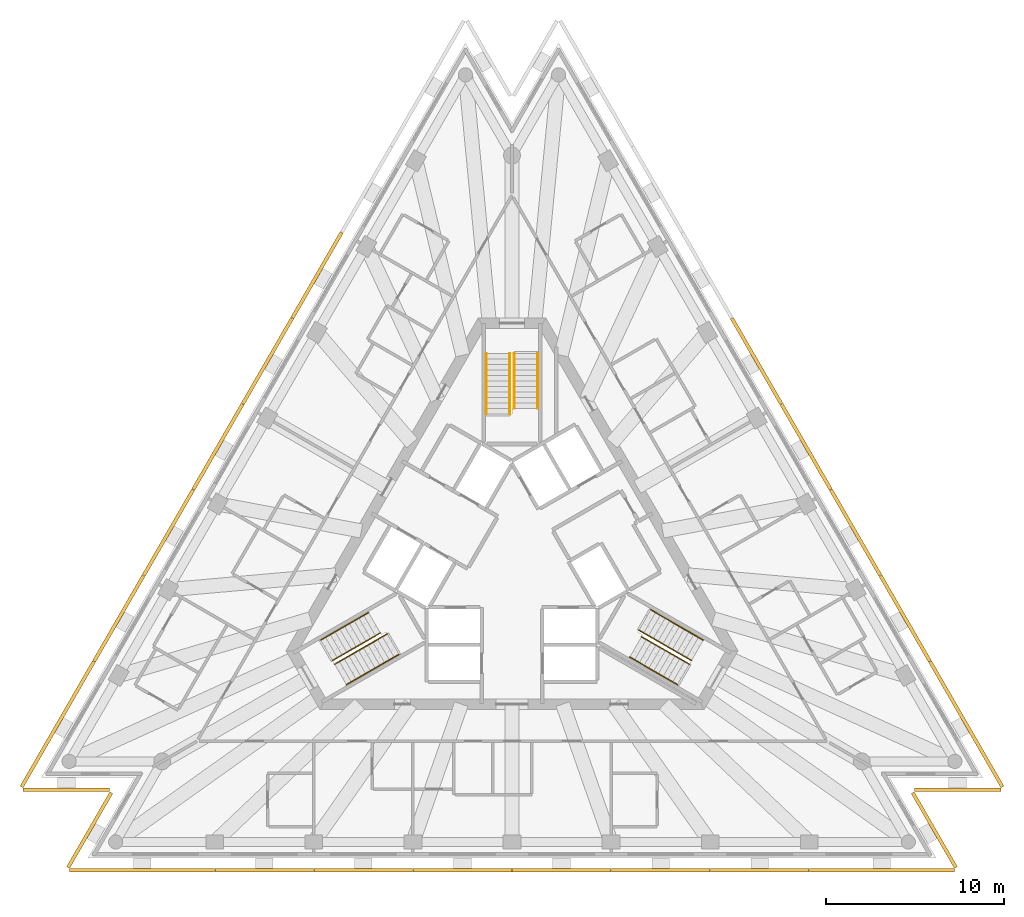
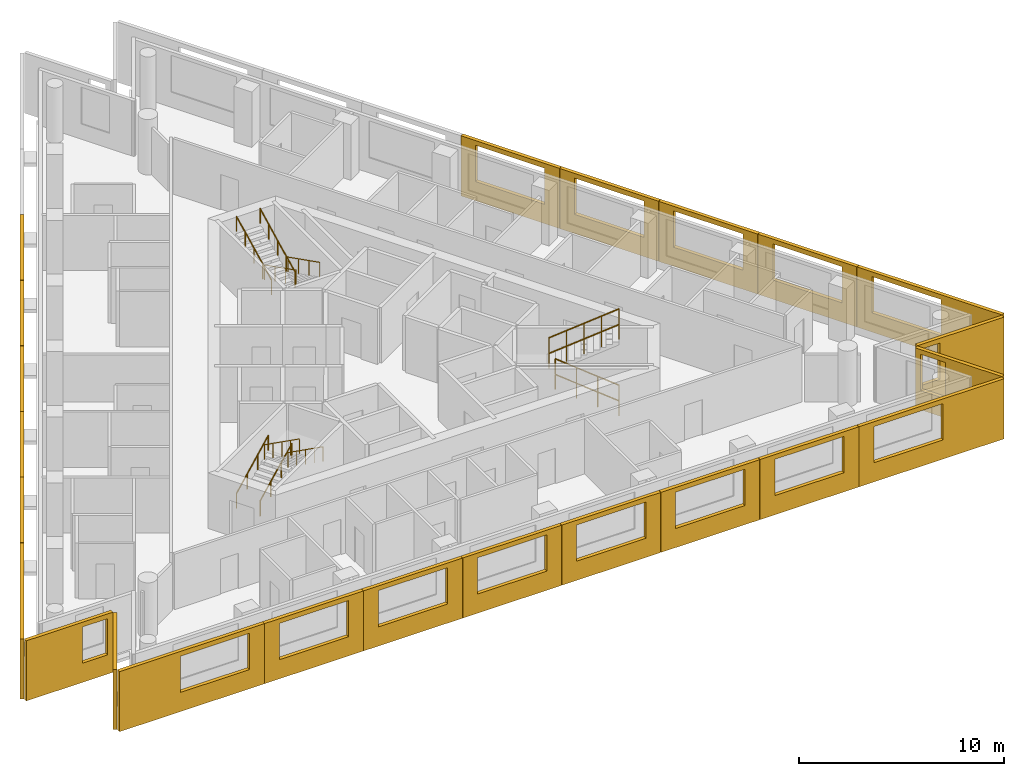
# One storey, part 9 of 10: 23 shading devices, 12 railings, 3 elements without a shape of their own.
"""IFC4 building model written with IfcOpenShell, lengths in metres."""

from ifc_helpers import new_model, si_unit, direction, frame, origin, origin_2d, place, context, subcontext, project, spatial, polyline, circle, outline, extrude, material, layer, layer_set, type_object, element, aggregate, save


model = new_model("IFC4")

# Units and contexts
model_context = context("Model", 3, precision=1e-05, world=origin(), true_north=direction((0.0, 1.0)))
body_context = subcontext(model_context, "Body", "Model", "MODEL_VIEW")
ifc_project = project(units=[si_unit("LENGTHUNIT", "METRE"), si_unit("AREAUNIT", "SQUARE_METRE"), si_unit("VOLUMEUNIT", "CUBIC_METRE"), si_unit("PLANEANGLEUNIT", "RADIAN"), si_unit("MASSUNIT", "GRAM", prefix="KILO")], contexts=[model_context])

# Site, building, storey
site_placement = place(None, origin())
site = spatial("IfcSite", under=ifc_project, at=site_placement, CompositionType="ELEMENT")
building_placement = place(site_placement, origin())
building = spatial("IfcBuilding", under=site, at=building_placement, Name="Triada Interchange Tower", CompositionType="ELEMENT")
storey_placement = place(building_placement, frame((0.0, 0.0, 268.300048828125)))
storey = spatial("IfcBuildingStorey", under=building, at=storey_placement, Name="L62", CompositionType="ELEMENT", Elevation=268.300048828125)

# Shading devices
ifc_material_1 = material(Name="Concrete C50/60 precast", Category="concrete")
ifc_layer_1 = layer(ifc_material_1, 0.02001953125, Name="Exposed aggregate face")
ifc_layer_2 = layer(ifc_material_1, 0.179931640625, Name="Precast concrete screen")
ifc_layer_set = layer_set([ifc_layer_1, ifc_layer_2], Name="Outer skin screen panel 3580")
shading_device_type = type_object("IfcShadingDeviceType", Name="Outer skin screen panel 3580", PredefinedType="SHUTTER", material=ifc_layer_set)
shading_device_1_placement = place(storey_placement, frame((-9.507080078125, 18.366943359375, -0.2900390625), z_axis=(0.0, 0.0, 1.0), x_axis=(-0.500072058625, -0.86598379672, 0.0)))
element("IfcShadingDevice", 1, at=shading_device_1_placement, inside=storey, type_object=shading_device_type, Name="Outer skin screen panel L62 03", PredefinedType="SHUTTER", context=body_context, shape_type="SweptSolid", body=[
    extrude(outline(polyline([(0.0, 0.0), (5.561279296875, 0.0), (5.561279296875, 3.580078125), (0.0, 3.580078125), (0.0, 0.0)]), holes=[polyline([(0.830810546875, 1.139892578125), (0.830810546875, 3.300048828125), (4.730712890625, 3.300048828125), (4.730712890625, 1.139892578125), (0.830810546875, 1.139892578125)])]), frame((0.0, 0.0, 0.0), z_axis=(0.0, -1.0, 0.0), x_axis=(1.0, 0.0, 0.0)), (0.0, 0.0, 1.0), 0.199951171875),
])
shading_device_2_placement = place(storey_placement, frame((-12.298095703125, 13.532958984375, -0.2900390625), z_axis=(0.0, 0.0, 1.0), x_axis=(-0.500072058625, -0.86598379672, 0.0)))
element("IfcShadingDevice", 2, at=shading_device_2_placement, inside=storey, type_object=shading_device_type, Name="Outer skin screen panel L62 04", PredefinedType="SHUTTER", context=body_context, shape_type="SweptSolid", body=[
    extrude(outline(polyline([(0.0, 0.0), (5.561279296875, 0.0), (5.561279296875, 3.580078125), (0.0, 3.580078125), (0.0, 0.0)]), holes=[polyline([(0.830322265625, 1.139892578125), (0.830322265625, 3.300048828125), (4.73046875, 3.300048828125), (4.73046875, 1.139892578125), (0.830322265625, 1.139892578125)])]), frame((0.0, 0.0, 0.0), z_axis=(0.0, -1.0, 0.0), x_axis=(1.0, 0.0, 0.0)), (0.0, 0.0, 1.0), 0.199951171875),
])
shading_device_3_placement = place(storey_placement, frame((-15.089111328125, 8.699951171875, -0.2900390625), z_axis=(0.0, 0.0, 1.0), x_axis=(-0.499907419982, -0.866078848285, 0.0)))
element("IfcShadingDevice", 3, at=shading_device_3_placement, inside=storey, type_object=shading_device_type, Name="Outer skin screen panel L62 05", PredefinedType="SHUTTER", context=body_context, shape_type="SweptSolid", body=[
    extrude(outline(polyline([(0.0, 0.0), (5.560546875, 0.0), (5.560546875, 3.580078125), (0.0, 3.580078125), (0.0, 0.0)]), holes=[polyline([(0.8310546875, 1.139892578125), (0.8310546875, 3.300048828125), (4.731201171875, 3.300048828125), (4.731201171875, 1.139892578125), (0.8310546875, 1.139892578125)])]), frame((0.0, 0.0, 0.0), z_axis=(0.0, -1.0, 0.0), x_axis=(1.0, 0.0, 0.0)), (0.0, 0.0, 1.0), 0.199951171875),
])
shading_device_4_placement = place(storey_placement, frame((-17.87890625, 3.865966796875, -0.2900390625), z_axis=(0.0, 0.0, 1.0), x_axis=(-0.500072058625, -0.86598379672, 0.0)))
element("IfcShadingDevice", 4, at=shading_device_4_placement, inside=storey, type_object=shading_device_type, Name="Outer skin screen panel L62 06", PredefinedType="SHUTTER", context=body_context, shape_type="SweptSolid", body=[
    extrude(outline(polyline([(0.0, 0.0), (5.561279296875, 0.0), (5.561279296875, 3.580078125), (0.0, 3.580078125), (0.0, 0.0)]), holes=[polyline([(0.830810546875, 1.139892578125), (0.830810546875, 3.300048828125), (4.730712890625, 3.300048828125), (4.730712890625, 1.139892578125), (0.830810546875, 1.139892578125)])]), frame((0.0, 0.0, 0.0), z_axis=(0.0, -1.0, 0.0), x_axis=(1.0, 0.0, 0.0)), (0.0, 0.0, 1.0), 0.199951171875),
])
shading_device_5_placement = place(storey_placement, frame((-20.669921875, -0.967041015625, -0.2900390625), z_axis=(0.0, 0.0, 1.0), x_axis=(-0.499996022837, -0.866027699989, 0.0)))
element("IfcShadingDevice", 5, at=shading_device_5_placement, inside=storey, type_object=shading_device_type, Name="Outer skin screen panel L62 07", PredefinedType="SHUTTER", context=body_context, shape_type="SweptSolid", body=[
    extrude(outline(polyline([(0.0, 0.0), (5.56201171875, 0.0), (5.56201171875, 3.580078125), (0.0, 3.580078125), (0.0, 0.0)]), holes=[polyline([(0.830322265625, 1.139892578125), (0.830322265625, 3.300048828125), (4.73046875, 3.300048828125), (4.73046875, 1.139892578125), (0.830322265625, 1.139892578125)])]), frame((0.0, 0.0, 0.0), z_axis=(0.0, -1.0, 0.0), x_axis=(1.0, 0.0, 0.0)), (0.0, 0.0, 1.0), 0.199951171875),
])
shading_device_6_placement = place(storey_placement, frame((-23.4609375, -5.801025390625, -0.2900390625), z_axis=(0.0, 0.0, 1.0), x_axis=(-0.499962486839, -0.866047060935, 0.0)))
element("IfcShadingDevice", 6, at=shading_device_6_placement, inside=storey, type_object=shading_device_type, Name="Outer skin screen panel L62 08", PredefinedType="SHUTTER", context=body_context, shape_type="SweptSolid", body=[
    extrude(outline(polyline([(0.0, 0.0), (8.158935546875, 0.0), (8.158935546875, 3.580078125), (0.0, 3.580078125), (0.0, 0.0)]), holes=[polyline([(0.8310546875, 1.139892578125), (0.8310546875, 3.300048828125), (4.73095703125, 3.300048828125), (4.73095703125, 1.139892578125), (0.8310546875, 1.139892578125)])]), frame((0.0, 0.0, 0.0), z_axis=(0.0, -1.0, 0.0), x_axis=(1.0, 0.0, 0.0)), (0.0, 0.0, 1.0), 0.199951171875),
])
shading_device_7_placement = place(storey_placement, frame((-27.534912109375, -12.8759765625, -0.2900390625), z_axis=(0.0, 0.0, 1.0), x_axis=(1.0, 0.0, 0.0)))
element("IfcShadingDevice", 7, at=shading_device_7_placement, inside=storey, type_object=shading_device_type, Name="Outer skin screen panel L62 09", PredefinedType="SHUTTER", context=body_context, shape_type="SweptSolid", body=[
    extrude(outline(polyline([(0.0, 0.0), (4.8759765625, 0.0), (4.8759765625, 3.580078125), (0.0, 3.580078125), (0.0, 0.0)]), holes=[polyline([(3.175048828125, 1.139892578125), (3.175048828125, 3.300048828125), (4.575927734375, 3.300048828125), (4.575927734375, 1.139892578125), (3.175048828125, 1.139892578125)])]), frame((0.0, 0.0, 0.0), z_axis=(0.0, -1.0, 0.0), x_axis=(1.0, 0.0, 0.0)), (0.0, 0.0, 1.0), 0.199951171875),
])
shading_device_8_placement = place(storey_placement, frame((-22.48095703125, -13.18505859375, -0.2900390625), z_axis=(0.0, 0.0, 1.0), x_axis=(-0.499983942717, -0.866034674262, 0.0)))
element("IfcShadingDevice", 8, at=shading_device_8_placement, inside=storey, type_object=shading_device_type, Name="Outer skin screen panel L62 10", PredefinedType="SHUTTER", context=body_context, shape_type="SweptSolid", body=[
    extrude(outline(polyline([(0.0, 0.0), (4.876220703125, 0.0), (4.876220703125, 3.580078125), (0.0, 3.580078125), (0.0, 0.0)]), holes=[polyline([(0.300048828125, 1.139892578125), (0.300048828125, 3.300048828125), (1.2578125, 3.300048828125), (1.2578125, 1.139892578125), (0.300048828125, 1.139892578125)])]), frame((0.0, 0.0, 0.0), z_axis=(0.0, -1.0, 0.0), x_axis=(1.0, 0.0, 0.0)), (0.0, 0.0, 1.0), 0.199951171875),
])
shading_device_9_placement = place(storey_placement, frame((-24.9140625, -17.4169921875, -0.2900390625), z_axis=(0.0, 0.0, 1.0), x_axis=(1.0, 0.0, 0.0)))
element("IfcShadingDevice", 9, at=shading_device_9_placement, inside=storey, type_object=shading_device_type, Name="Outer skin screen panel L62 11", PredefinedType="SHUTTER", context=body_context, shape_type="SweptSolid", body=[
    extrude(outline(polyline([(0.0, 0.0), (8.16015625, 0.0), (8.16015625, 3.580078125), (0.0, 3.580078125), (0.0, 0.0)]), holes=[polyline([(3.428955078125, 1.139892578125), (3.428955078125, 3.300048828125), (7.3291015625, 3.300048828125), (7.3291015625, 1.139892578125), (3.428955078125, 1.139892578125)])]), frame((0.0, 0.0, 0.0), z_axis=(0.0, -1.0, 0.0), x_axis=(1.0, 0.0, 0.0)), (0.0, 0.0, 1.0), 0.199951171875),
])
shading_device_10_placement = place(storey_placement, frame((-16.735107421875, -17.4169921875, -0.2900390625), z_axis=(0.0, 0.0, 1.0), x_axis=(1.0, 0.0, 0.0)))
element("IfcShadingDevice", 10, at=shading_device_10_placement, inside=storey, type_object=shading_device_type, Name="Outer skin screen panel L62 12", PredefinedType="SHUTTER", context=body_context, shape_type="SweptSolid", body=[
    extrude(outline(polyline([(0.0, 0.0), (5.56201171875, 0.0), (5.56201171875, 3.580078125), (0.0, 3.580078125), (0.0, 0.0)]), holes=[polyline([(0.83056640625, 1.139892578125), (0.83056640625, 3.300048828125), (4.73046875, 3.300048828125), (4.73046875, 1.139892578125), (0.83056640625, 1.139892578125)])]), frame((0.0, 0.0, 0.0), z_axis=(0.0, -1.0, 0.0), x_axis=(1.0, 0.0, 0.0)), (0.0, 0.0, 1.0), 0.199951171875),
])
shading_device_11_placement = place(storey_placement, frame((-11.153076171875, -17.4169921875, -0.2900390625), z_axis=(0.0, 0.0, 1.0), x_axis=(1.0, 0.0, 0.0)))
element("IfcShadingDevice", 11, at=shading_device_11_placement, inside=storey, type_object=shading_device_type, Name="Outer skin screen panel L62 13", PredefinedType="SHUTTER", context=body_context, shape_type="SweptSolid", body=[
    extrude(outline(polyline([(0.0, 0.0), (5.56103515625, 0.0), (5.56103515625, 3.580078125), (0.0, 3.580078125), (0.0, 0.0)]), holes=[polyline([(0.8310546875, 1.139892578125), (0.8310546875, 3.300048828125), (4.73095703125, 3.300048828125), (4.73095703125, 1.139892578125), (0.8310546875, 1.139892578125)])]), frame((0.0, 0.0, 0.0), z_axis=(0.0, -1.0, 0.0), x_axis=(1.0, 0.0, 0.0)), (0.0, 0.0, 1.0), 0.199951171875),
])
shading_device_12_placement = place(storey_placement, frame((-5.571044921875, -17.4169921875, -0.2900390625), z_axis=(0.0, 0.0, 1.0), x_axis=(1.0, 0.0, 0.0)))
element("IfcShadingDevice", 12, at=shading_device_12_placement, inside=storey, type_object=shading_device_type, Name="Outer skin screen panel L62 14", PredefinedType="SHUTTER", context=body_context, shape_type="SweptSolid", body=[
    extrude(outline(polyline([(0.0, 0.0), (5.56103515625, 0.0), (5.56103515625, 3.580078125), (0.0, 3.580078125), (0.0, 0.0)]), holes=[polyline([(0.83056640625, 1.139892578125), (0.83056640625, 3.300048828125), (4.73046875, 3.300048828125), (4.73046875, 1.139892578125), (0.83056640625, 1.139892578125)])]), frame((0.0, 0.0, 0.0), z_axis=(0.0, -1.0, 0.0), x_axis=(1.0, 0.0, 0.0)), (0.0, 0.0, 1.0), 0.199951171875),
])
shading_device_13_placement = place(storey_placement, frame((0.010009765625, -17.4169921875, -0.2900390625), z_axis=(0.0, 0.0, 1.0), x_axis=(1.0, 0.0, 0.0)))
element("IfcShadingDevice", 13, at=shading_device_13_placement, inside=storey, type_object=shading_device_type, Name="Outer skin screen panel L62 15", PredefinedType="SHUTTER", context=body_context, shape_type="SweptSolid", body=[
    extrude(outline(polyline([(0.0, 0.0), (5.56103515625, 0.0), (5.56103515625, 3.580078125), (0.0, 3.580078125), (0.0, 0.0)]), holes=[polyline([(0.8310546875, 1.139892578125), (0.8310546875, 3.300048828125), (4.73095703125, 3.300048828125), (4.73095703125, 1.139892578125), (0.8310546875, 1.139892578125)])]), frame((0.0, 0.0, 0.0), z_axis=(0.0, -1.0, 0.0), x_axis=(1.0, 0.0, 0.0)), (0.0, 0.0, 1.0), 0.199951171875),
])
shading_device_14_placement = place(storey_placement, frame((5.592041015625, -17.4169921875, -0.2900390625), z_axis=(0.0, 0.0, 1.0), x_axis=(1.0, 0.0, 0.0)))
element("IfcShadingDevice", 14, at=shading_device_14_placement, inside=storey, type_object=shading_device_type, Name="Outer skin screen panel L62 16", PredefinedType="SHUTTER", context=body_context, shape_type="SweptSolid", body=[
    extrude(outline(polyline([(0.0, 0.0), (5.56103515625, 0.0), (5.56103515625, 3.580078125), (0.0, 3.580078125), (0.0, 0.0)]), holes=[polyline([(0.83056640625, 1.139892578125), (0.83056640625, 3.300048828125), (4.73046875, 3.300048828125), (4.73046875, 1.139892578125), (0.83056640625, 1.139892578125)])]), frame((0.0, 0.0, 0.0), z_axis=(0.0, -1.0, 0.0), x_axis=(1.0, 0.0, 0.0)), (0.0, 0.0, 1.0), 0.199951171875),
])
shading_device_15_placement = place(storey_placement, frame((11.173095703125, -17.4169921875, -0.2900390625), z_axis=(0.0, 0.0, 1.0), x_axis=(1.0, 0.0, 0.0)))
element("IfcShadingDevice", 15, at=shading_device_15_placement, inside=storey, type_object=shading_device_type, Name="Outer skin screen panel L62 17", PredefinedType="SHUTTER", context=body_context, shape_type="SweptSolid", body=[
    extrude(outline(polyline([(0.0, 0.0), (5.56201171875, 0.0), (5.56201171875, 3.580078125), (0.0, 3.580078125), (0.0, 0.0)]), holes=[polyline([(0.8310546875, 1.139892578125), (0.8310546875, 3.300048828125), (4.73095703125, 3.300048828125), (4.73095703125, 1.139892578125), (0.8310546875, 1.139892578125)])]), frame((0.0, 0.0, 0.0), z_axis=(0.0, -1.0, 0.0), x_axis=(1.0, 0.0, 0.0)), (0.0, 0.0, 1.0), 0.199951171875),
])
shading_device_16_placement = place(storey_placement, frame((16.7548828125, -17.4169921875, -0.2900390625), z_axis=(0.0, 0.0, 1.0), x_axis=(1.0, 0.0, 0.0)))
element("IfcShadingDevice", 16, at=shading_device_16_placement, inside=storey, type_object=shading_device_type, Name="Outer skin screen panel L62 18", PredefinedType="SHUTTER", context=body_context, shape_type="SweptSolid", body=[
    extrude(outline(polyline([(0.0, 0.0), (8.1591796875, 0.0), (8.1591796875, 3.580078125), (0.0, 3.580078125), (0.0, 0.0)]), holes=[polyline([(0.83056640625, 1.139892578125), (0.83056640625, 3.300048828125), (4.73046875, 3.300048828125), (4.73046875, 1.139892578125), (0.83056640625, 1.139892578125)])]), frame((0.0, 0.0, 0.0), z_axis=(0.0, -1.0, 0.0), x_axis=(1.0, 0.0, 0.0)), (0.0, 0.0, 1.0), 0.199951171875),
])
shading_device_17_placement = place(storey_placement, frame((24.9189453125, -17.407958984375, -0.2900390625), z_axis=(0.0, 0.0, 1.0), x_axis=(-0.499983942717, 0.866034674262, 0.0)))
element("IfcShadingDevice", 17, at=shading_device_17_placement, inside=storey, type_object=shading_device_type, Name="Outer skin screen panel L62 19", PredefinedType="SHUTTER", context=body_context, shape_type="SweptSolid", body=[
    extrude(outline(polyline([(0.0, 0.0), (4.876220703125, 0.0), (4.876220703125, 3.580078125), (0.0, 3.580078125), (0.0, 0.0)]), holes=[polyline([(3.17529296875, 1.139892578125), (3.17529296875, 3.300048828125), (4.576904296875, 3.300048828125), (4.576904296875, 1.139892578125), (3.17529296875, 1.139892578125)])]), frame((0.0, 0.0, 0.0), z_axis=(0.0, -1.0, 0.0), x_axis=(1.0, 0.0, 0.0)), (0.0, 0.0, 1.0), 0.199951171875),
])
shading_device_18_placement = place(storey_placement, frame((22.658935546875, -12.8759765625, -0.2900390625), z_axis=(0.0, 0.0, 1.0), x_axis=(1.0, 0.0, 0.0)))
element("IfcShadingDevice", 18, at=shading_device_18_placement, inside=storey, type_object=shading_device_type, Name="Outer skin screen panel L62 20", PredefinedType="SHUTTER", context=body_context, shape_type="SweptSolid", body=[
    extrude(outline(polyline([(0.0, 0.0), (4.8759765625, 0.0), (4.8759765625, 3.580078125), (0.0, 3.580078125), (0.0, 0.0)]), holes=[polyline([(0.300048828125, 1.139892578125), (0.300048828125, 3.300048828125), (1.258056640625, 3.300048828125), (1.258056640625, 1.139892578125), (0.300048828125, 1.139892578125)])]), frame((0.0, 0.0, 0.0), z_axis=(0.0, -1.0, 0.0), x_axis=(1.0, 0.0, 0.0)), (0.0, 0.0, 1.0), 0.199951171875),
])
shading_device_19_placement = place(storey_placement, frame((27.5400390625, -12.866943359375, -0.2900390625), z_axis=(0.0, 0.0, 1.0), x_axis=(-0.499962486839, 0.866047060935, 0.0)))
element("IfcShadingDevice", 19, at=shading_device_19_placement, inside=storey, type_object=shading_device_type, Name="Outer skin screen panel L62 21", PredefinedType="SHUTTER", context=body_context, shape_type="SweptSolid", body=[
    extrude(outline(polyline([(0.0, 0.0), (8.158935546875, 0.0), (8.158935546875, 3.580078125), (0.0, 3.580078125), (0.0, 0.0)]), holes=[polyline([(3.42822265625, 1.139892578125), (3.42822265625, 3.300048828125), (7.328369140625, 3.300048828125), (7.328369140625, 1.139892578125), (3.42822265625, 1.139892578125)])]), frame((0.0, 0.0, 0.0), z_axis=(0.0, -1.0, 0.0), x_axis=(1.0, 0.0, 0.0)), (0.0, 0.0, 1.0), 0.199951171875),
])
shading_device_20_placement = place(storey_placement, frame((23.450927734375, -5.783935546875, -0.2900390625), z_axis=(0.0, 0.0, 1.0), x_axis=(-0.499996022837, 0.866027699989, 0.0)))
element("IfcShadingDevice", 20, at=shading_device_20_placement, inside=storey, type_object=shading_device_type, Name="Outer skin screen panel L62 22", PredefinedType="SHUTTER", context=body_context, shape_type="SweptSolid", body=[
    extrude(outline(polyline([(0.0, 0.0), (5.56201171875, 0.0), (5.56201171875, 3.580078125), (0.0, 3.580078125), (0.0, 0.0)]), holes=[polyline([(0.830810546875, 1.139892578125), (0.830810546875, 3.300048828125), (4.73095703125, 3.300048828125), (4.73095703125, 1.139892578125), (0.830810546875, 1.139892578125)])]), frame((0.0, 0.0, 0.0), z_axis=(0.0, -1.0, 0.0), x_axis=(1.0, 0.0, 0.0)), (0.0, 0.0, 1.0), 0.199951171875),
])
shading_device_21_placement = place(storey_placement, frame((20.659912109375, -0.949951171875, -0.2900390625), z_axis=(0.0, 0.0, 1.0), x_axis=(-0.500072058625, 0.86598379672, 0.0)))
element("IfcShadingDevice", 21, at=shading_device_21_placement, inside=storey, type_object=shading_device_type, Name="Outer skin screen panel L62 23", PredefinedType="SHUTTER", context=body_context, shape_type="SweptSolid", body=[
    extrude(outline(polyline([(0.0, 0.0), (5.561279296875, 0.0), (5.561279296875, 3.580078125), (0.0, 3.580078125), (0.0, 0.0)]), holes=[polyline([(0.83056640625, 1.139892578125), (0.83056640625, 3.300048828125), (4.73046875, 3.300048828125), (4.73046875, 1.139892578125), (0.83056640625, 1.139892578125)])]), frame((0.0, 0.0, 0.0), z_axis=(0.0, -1.0, 0.0), x_axis=(1.0, 0.0, 0.0)), (0.0, 0.0, 1.0), 0.199951171875),
])
shading_device_22_placement = place(storey_placement, frame((17.868896484375, 3.884033203125, -0.2900390625), z_axis=(0.0, 0.0, 1.0), x_axis=(-0.499907419982, 0.866078848285, 0.0)))
element("IfcShadingDevice", 22, at=shading_device_22_placement, inside=storey, type_object=shading_device_type, Name="Outer skin screen panel L62 24", PredefinedType="SHUTTER", context=body_context, shape_type="SweptSolid", body=[
    extrude(outline(polyline([(0.0, 0.0), (5.560546875, 0.0), (5.560546875, 3.580078125), (0.0, 3.580078125), (0.0, 0.0)]), holes=[polyline([(0.830078125, 1.139892578125), (0.830078125, 3.300048828125), (4.730224609375, 3.300048828125), (4.730224609375, 1.139892578125), (0.830078125, 1.139892578125)])]), frame((0.0, 0.0, 0.0), z_axis=(0.0, -1.0, 0.0), x_axis=(1.0, 0.0, 0.0)), (0.0, 0.0, 1.0), 0.199951171875),
])
shading_device_23_placement = place(storey_placement, frame((15.0791015625, 8.717041015625, -0.2900390625), z_axis=(0.0, 0.0, 1.0), x_axis=(-0.500072058625, 0.86598379672, 0.0)))
element("IfcShadingDevice", 23, at=shading_device_23_placement, inside=storey, type_object=shading_device_type, Name="Outer skin screen panel L62 25", PredefinedType="SHUTTER", context=body_context, shape_type="SweptSolid", body=[
    extrude(outline(polyline([(0.0, 0.0), (5.561279296875, 0.0), (5.561279296875, 3.580078125), (0.0, 3.580078125), (0.0, 0.0)]), holes=[polyline([(0.830810546875, 1.139892578125), (0.830810546875, 3.300048828125), (4.730712890625, 3.300048828125), (4.730712890625, 1.139892578125), (0.830810546875, 1.139892578125)])]), frame((0.0, 0.0, 0.0), z_axis=(0.0, -1.0, 0.0), x_axis=(1.0, 0.0, 0.0)), (0.0, 0.0, 1.0), 0.199951171875),
])

# Stair, railings
ifc_material_2 = material(Name="Concrete C35/45", Category="concrete")
stair_type = type_object("IfcStairType", Name="HALF TURN STAIR 1400", PredefinedType="HALF_TURN_STAIR", material=ifc_material_2)
stair_1_placement = place(storey_placement, origin())
stair_1 = element("IfcStair", 24, at=stair_1_placement, inside=storey, type_object=stair_type, Name="Exit stair S62-1", PredefinedType="HALF_TURN_STAIR")
ifc_material_3 = material(Name="Stainless steel 1.4301", Category="steel")
railing_type = type_object("IfcRailingType", Name="STAIR HANDRAIL 900", PredefinedType="HANDRAIL", material=ifc_material_3)
railing_1_placement = place(storey_placement, frame((1.449951171875, 11.60009765625, 0.156494140625)))
railing_1 = element("IfcRailing", 25, at=railing_1_placement, type_object=railing_type, Name="Handrail S62-1 1W", PredefinedType="HANDRAIL", context=body_context, shape_type="SweptSolid", body=[
    extrude(circle(Radius=0.02392578125, at=origin_2d()), frame((0.0, 0.0, 0.8759765625), z_axis=(0.0, -0.89267693942, 0.450697106522), x_axis=(1.0, 0.0, 0.0)), (0.0, 0.0, 1.0), 3.472900390625),
    extrude(circle(Radius=0.02099609375, at=origin_2d()), origin(), (0.0, 0.0, 1.0), 0.851806640625),
    extrude(circle(Radius=0.02099609375, at=origin_2d()), frame((0.0, -1.033447265625, 0.521728515625)), (0.0, 0.0, 1.0), 0.851806640625),
    extrude(circle(Radius=0.02099609375, at=origin_2d()), frame((0.0, -2.066650390625, 1.04345703125)), (0.0, 0.0, 1.0), 0.851806640625),
    extrude(circle(Radius=0.02099609375, at=origin_2d()), frame((0.0, -3.10009765625, 1.565185546875)), (0.0, 0.0, 1.0), 0.851806640625),
])
railing_2_placement = place(storey_placement, frame((0.1201171875, 11.60009765625, 0.156494140625)))
railing_2 = element("IfcRailing", 26, at=railing_2_placement, type_object=railing_type, Name="Handrail S62-1 1C", PredefinedType="HANDRAIL", context=body_context, shape_type="SweptSolid", body=[
    extrude(circle(Radius=0.02392578125, at=origin_2d()), frame((0.0, 0.0, 0.8759765625), z_axis=(0.0, -0.89267693942, 0.450697106522), x_axis=(1.0, 0.0, 0.0)), (0.0, 0.0, 1.0), 3.472900390625),
    extrude(circle(Radius=0.02099609375, at=origin_2d()), origin(), (0.0, 0.0, 1.0), 0.851806640625),
    extrude(circle(Radius=0.02099609375, at=origin_2d()), frame((0.0, -1.033447265625, 0.521728515625)), (0.0, 0.0, 1.0), 0.851806640625),
    extrude(circle(Radius=0.02099609375, at=origin_2d()), frame((0.0, -2.066650390625, 1.04345703125)), (0.0, 0.0, 1.0), 0.851806640625),
    extrude(circle(Radius=0.02099609375, at=origin_2d()), frame((0.0, -3.10009765625, 1.565185546875)), (0.0, 0.0, 1.0), 0.851806640625),
])
railing_3_placement = place(storey_placement, frame((-1.449951171875, 8.18994140625, 1.878173828125)))
railing_3 = element("IfcRailing", 27, at=railing_3_placement, type_object=railing_type, Name="Handrail S62-1 2W", PredefinedType="HANDRAIL", context=body_context, shape_type="SweptSolid", body=[
    extrude(circle(Radius=0.02392578125, at=origin_2d()), frame((0.0, 0.0, 0.8759765625), z_axis=(0.0, 0.892682106939, 0.450686871287), x_axis=(-1.0, 0.0, 0.0)), (0.0, 0.0, 1.0), 3.820068359375),
    extrude(circle(Radius=0.02099609375, at=origin_2d()), origin(), (0.0, 0.0, 1.0), 0.851806640625),
    extrude(circle(Radius=0.02099609375, at=origin_2d()), frame((0.0, 0.8525390625, 0.430419921875)), (0.0, 0.0, 1.0), 0.851806640625),
    extrude(circle(Radius=0.02099609375, at=origin_2d()), frame((0.0, 1.705078125, 0.86083984375)), (0.0, 0.0, 1.0), 0.851806640625),
    extrude(circle(Radius=0.02099609375, at=origin_2d()), frame((0.0, 2.5576171875, 1.291259765625)), (0.0, 0.0, 1.0), 0.851806640625),
    extrude(circle(Radius=0.02099609375, at=origin_2d()), frame((0.0, 3.41015625, 1.7216796875)), (0.0, 0.0, 1.0), 0.851806640625),
])
railing_4_placement = place(storey_placement, frame((-0.1201171875, 8.18994140625, 1.878173828125)))
railing_4 = element("IfcRailing", 28, at=railing_4_placement, type_object=railing_type, Name="Handrail S62-1 2C", PredefinedType="HANDRAIL", context=body_context, shape_type="SweptSolid", body=[
    extrude(circle(Radius=0.02392578125, at=origin_2d()), frame((0.0, 0.0, 0.8759765625), z_axis=(0.0, 0.892682106939, 0.450686871287), x_axis=(-1.0, 0.0, 0.0)), (0.0, 0.0, 1.0), 3.820068359375),
    extrude(circle(Radius=0.02099609375, at=origin_2d()), origin(), (0.0, 0.0, 1.0), 0.851806640625),
    extrude(circle(Radius=0.02099609375, at=origin_2d()), frame((0.0, 0.8525390625, 0.430419921875)), (0.0, 0.0, 1.0), 0.851806640625),
    extrude(circle(Radius=0.02099609375, at=origin_2d()), frame((0.0, 1.705078125, 0.86083984375)), (0.0, 0.0, 1.0), 0.851806640625),
    extrude(circle(Radius=0.02099609375, at=origin_2d()), frame((0.0, 2.5576171875, 1.291259765625)), (0.0, 0.0, 1.0), 0.851806640625),
    extrude(circle(Radius=0.02099609375, at=origin_2d()), frame((0.0, 3.41015625, 1.7216796875)), (0.0, 0.0, 1.0), 0.851806640625),
])
aggregate(stair_1, [railing_1, railing_2, railing_3, railing_4])

stair_2_placement = place(storey_placement, origin())
stair_2 = element("IfcStair", 29, at=stair_2_placement, inside=storey, type_object=stair_type, Name="Exit stair S62-2", PredefinedType="HALF_TURN_STAIR")
railing_5_placement = place(storey_placement, frame((-10.77099609375, -4.5439453125, 0.156494140625)))
railing_5 = element("IfcRailing", 30, at=railing_5_placement, type_object=railing_type, Name="Handrail S62-2 1W", PredefinedType="HANDRAIL", context=body_context, shape_type="SweptSolid", body=[
    extrude(circle(Radius=0.02392578125, at=origin_2d()), frame((0.0, 0.0, 0.8759765625), z_axis=(0.773115112249, 0.446309133267, 0.4506674836), x_axis=(-0.499958760481, 0.866049212123, 0.0)), (0.0, 0.0, 1.0), 3.47314453125),
    extrude(circle(Radius=0.02099609375, at=origin_2d()), origin(), (0.0, 0.0, 1.0), 0.851806640625),
    extrude(circle(Radius=0.02099609375, at=origin_2d()), frame((0.89501953125, 0.5166015625, 0.521728515625)), (0.0, 0.0, 1.0), 0.851806640625),
    extrude(circle(Radius=0.02099609375, at=origin_2d()), frame((1.7900390625, 1.033447265625, 1.04345703125)), (0.0, 0.0, 1.0), 0.851806640625),
    extrude(circle(Radius=0.02099609375, at=origin_2d()), frame((2.68505859375, 1.550048828125, 1.565185546875)), (0.0, 0.0, 1.0), 0.851806640625),
])
railing_6_placement = place(storey_placement, frame((-10.10595703125, -5.696044921875, 0.156494140625)))
railing_6 = element("IfcRailing", 31, at=railing_6_placement, type_object=railing_type, Name="Handrail S62-2 1C", PredefinedType="HANDRAIL", context=body_context, shape_type="SweptSolid", body=[
    extrude(circle(Radius=0.02392578125, at=origin_2d()), frame((0.0, 0.0, 0.8759765625), z_axis=(0.773115112249, 0.446309133267, 0.4506674836), x_axis=(-0.499958760481, 0.866049212123, 0.0)), (0.0, 0.0, 1.0), 3.47314453125),
    extrude(circle(Radius=0.02099609375, at=origin_2d()), origin(), (0.0, 0.0, 1.0), 0.851806640625),
    extrude(circle(Radius=0.02099609375, at=origin_2d()), frame((0.89501953125, 0.5166015625, 0.521728515625)), (0.0, 0.0, 1.0), 0.851806640625),
    extrude(circle(Radius=0.02099609375, at=origin_2d()), frame((1.7900390625, 1.033447265625, 1.04345703125)), (0.0, 0.0, 1.0), 0.851806640625),
    extrude(circle(Radius=0.02099609375, at=origin_2d()), frame((2.68505859375, 1.550048828125, 1.565185546875)), (0.0, 0.0, 1.0), 0.851806640625),
])
railing_7_placement = place(storey_placement, frame((-6.367919921875, -5.35107421875, 1.878173828125)))
railing_7 = element("IfcRailing", 32, at=railing_7_placement, type_object=railing_type, Name="Handrail S62-2 2W", PredefinedType="HANDRAIL", context=body_context, shape_type="SweptSolid", body=[
    extrude(circle(Radius=0.02392578125, at=origin_2d()), frame((0.0, 0.0, 0.8759765625), z_axis=(-0.773090904651, -0.446304049866, 0.450714042625), x_axis=(0.499966231165, -0.866044899352, 0.0)), (0.0, 0.0, 1.0), 3.81982421875),
    extrude(circle(Radius=0.02099609375, at=origin_2d()), origin(), (0.0, 0.0, 1.0), 0.851806640625),
    extrude(circle(Radius=0.02099609375, at=origin_2d()), frame((-0.73828125, -0.42626953125, 0.430419921875)), (0.0, 0.0, 1.0), 0.851806640625),
    extrude(circle(Radius=0.02099609375, at=origin_2d()), frame((-1.4765625, -0.8525390625, 0.86083984375)), (0.0, 0.0, 1.0), 0.851806640625),
    extrude(circle(Radius=0.02099609375, at=origin_2d()), frame((-2.21484375, -1.278564453125, 1.291259765625)), (0.0, 0.0, 1.0), 0.851806640625),
    extrude(circle(Radius=0.02099609375, at=origin_2d()), frame((-2.953125, -1.704833984375, 1.7216796875)), (0.0, 0.0, 1.0), 0.851806640625),
])
railing_8_placement = place(storey_placement, frame((-7.032958984375, -4.198974609375, 1.878173828125)))
railing_8 = element("IfcRailing", 33, at=railing_8_placement, type_object=railing_type, Name="Handrail S62-2 2C", PredefinedType="HANDRAIL", context=body_context, shape_type="SweptSolid", body=[
    extrude(circle(Radius=0.02392578125, at=origin_2d()), frame((0.0, 0.0, 0.8759765625), z_axis=(-0.773068851904, -0.446355229968, 0.450701185816), x_axis=(0.50001992892, -0.866013897511, 0.0)), (0.0, 0.0, 1.0), 3.820068359375),
    extrude(circle(Radius=0.02099609375, at=origin_2d()), origin(), (0.0, 0.0, 1.0), 0.851806640625),
    extrude(circle(Radius=0.02099609375, at=origin_2d()), frame((-0.73828125, -0.42626953125, 0.430419921875)), (0.0, 0.0, 1.0), 0.851806640625),
    extrude(circle(Radius=0.02099609375, at=origin_2d()), frame((-1.4765625, -0.8525390625, 0.86083984375)), (0.0, 0.0, 1.0), 0.851806640625),
    extrude(circle(Radius=0.02099609375, at=origin_2d()), frame((-2.21484375, -1.27880859375, 1.291259765625)), (0.0, 0.0, 1.0), 0.851806640625),
    extrude(circle(Radius=0.02099609375, at=origin_2d()), frame((-2.953125, -1.705078125, 1.7216796875)), (0.0, 0.0, 1.0), 0.851806640625),
])
aggregate(stair_2, [railing_5, railing_6, railing_7, railing_8])

stair_3_placement = place(storey_placement, origin())
stair_3 = element("IfcStair", 34, at=stair_3_placement, inside=storey, type_object=stair_type, Name="Exit stair S62-3", PredefinedType="HALF_TURN_STAIR")
railing_9_placement = place(storey_placement, frame((9.321044921875, -7.055908203125, 0.156494140625)))
railing_9 = element("IfcRailing", 35, at=railing_9_placement, type_object=railing_type, Name="Handrail S62-3 1W", PredefinedType="HANDRAIL", context=body_context, shape_type="SweptSolid", body=[
    extrude(circle(Radius=0.02392578125, at=origin_2d()), frame((0.0, 0.0, 0.8759765625), z_axis=(-0.773139366989, 0.446252837029, 0.450681622274), x_axis=(-0.499899694197, -0.866083307622, 0.0)), (0.0, 0.0, 1.0), 3.472900390625),
    extrude(circle(Radius=0.02099609375, at=origin_2d()), origin(), (0.0, 0.0, 1.0), 0.851806640625),
    extrude(circle(Radius=0.02099609375, at=origin_2d()), frame((-0.89501953125, 0.5166015625, 0.521728515625)), (0.0, 0.0, 1.0), 0.851806640625),
    extrude(circle(Radius=0.02099609375, at=origin_2d()), frame((-1.7900390625, 1.033203125, 1.04345703125)), (0.0, 0.0, 1.0), 0.851806640625),
    extrude(circle(Radius=0.02099609375, at=origin_2d()), frame((-2.68505859375, 1.5498046875, 1.565185546875)), (0.0, 0.0, 1.0), 0.851806640625),
])
railing_10_placement = place(storey_placement, frame((9.986083984375, -5.904052734375, 0.156494140625)))
railing_10 = element("IfcRailing", 36, at=railing_10_placement, type_object=railing_type, Name="Handrail S62-3 1C", PredefinedType="HANDRAIL", context=body_context, shape_type="SweptSolid", body=[
    extrude(circle(Radius=0.02392578125, at=origin_2d()), frame((0.0, 0.0, 0.8759765625), z_axis=(-0.773115112249, 0.446309133267, 0.4506674836), x_axis=(-0.499958760481, -0.866049212123, 0.0)), (0.0, 0.0, 1.0), 3.47314453125),
    extrude(circle(Radius=0.02099609375, at=origin_2d()), origin(), (0.0, 0.0, 1.0), 0.851806640625),
    extrude(circle(Radius=0.02099609375, at=origin_2d()), frame((-0.89501953125, 0.5166015625, 0.521728515625)), (0.0, 0.0, 1.0), 0.851806640625),
    extrude(circle(Radius=0.02099609375, at=origin_2d()), frame((-1.7900390625, 1.033447265625, 1.04345703125)), (0.0, 0.0, 1.0), 0.851806640625),
    extrude(circle(Radius=0.02099609375, at=origin_2d()), frame((-2.68505859375, 1.550048828125, 1.565185546875)), (0.0, 0.0, 1.0), 0.851806640625),
])
railing_11_placement = place(storey_placement, frame((7.818115234375, -2.839111328125, 1.878173828125)))
railing_11 = element("IfcRailing", 37, at=railing_11_placement, type_object=railing_type, Name="Handrail S62-3 2W", PredefinedType="HANDRAIL", context=body_context, shape_type="SweptSolid", body=[
    extrude(circle(Radius=0.02392578125, at=origin_2d()), frame((0.0, 0.0, 0.8759765625), z_axis=(0.773065188623, -0.4463261027, 0.450736313367), x_axis=(0.499997234054, 0.866027000698, 0.0)), (0.0, 0.0, 1.0), 3.81982421875),
    extrude(circle(Radius=0.02099609375, at=origin_2d()), origin(), (0.0, 0.0, 1.0), 0.851806640625),
    extrude(circle(Radius=0.02099609375, at=origin_2d()), frame((0.73828125, -0.42626953125, 0.430419921875)), (0.0, 0.0, 1.0), 0.851806640625),
    extrude(circle(Radius=0.02099609375, at=origin_2d()), frame((1.4765625, -0.8525390625, 0.86083984375)), (0.0, 0.0, 1.0), 0.851806640625),
    extrude(circle(Radius=0.02099609375, at=origin_2d()), frame((2.214599609375, -1.278564453125, 1.291259765625)), (0.0, 0.0, 1.0), 0.851806640625),
    extrude(circle(Radius=0.02099609375, at=origin_2d()), frame((2.952880859375, -1.704833984375, 1.7216796875)), (0.0, 0.0, 1.0), 0.851806640625),
])
railing_12_placement = place(storey_placement, frame((7.153076171875, -3.990966796875, 1.878173828125)))
railing_12 = element("IfcRailing", 38, at=railing_12_placement, type_object=railing_type, Name="Handrail S62-3 2C", PredefinedType="HANDRAIL", context=body_context, shape_type="SweptSolid", body=[
    extrude(circle(Radius=0.02392578125, at=origin_2d()), frame((0.0, 0.0, 0.8759765625), z_axis=(0.773043134431, -0.446377284073, 0.450723454651), x_axis=(0.500050932918, 0.865995995653, 0.0)), (0.0, 0.0, 1.0), 3.81982421875),
    extrude(circle(Radius=0.02099609375, at=origin_2d()), origin(), (0.0, 0.0, 1.0), 0.851806640625),
    extrude(circle(Radius=0.02099609375, at=origin_2d()), frame((0.73828125, -0.42626953125, 0.430419921875)), (0.0, 0.0, 1.0), 0.851806640625),
    extrude(circle(Radius=0.02099609375, at=origin_2d()), frame((1.4765625, -0.8525390625, 0.86083984375)), (0.0, 0.0, 1.0), 0.851806640625),
    extrude(circle(Radius=0.02099609375, at=origin_2d()), frame((2.214599609375, -1.27880859375, 1.291259765625)), (0.0, 0.0, 1.0), 0.851806640625),
    extrude(circle(Radius=0.02099609375, at=origin_2d()), frame((2.952880859375, -1.705078125, 1.7216796875)), (0.0, 0.0, 1.0), 0.851806640625),
])
aggregate(stair_3, [railing_9, railing_10, railing_11, railing_12])

save(model, "model.ifc")
